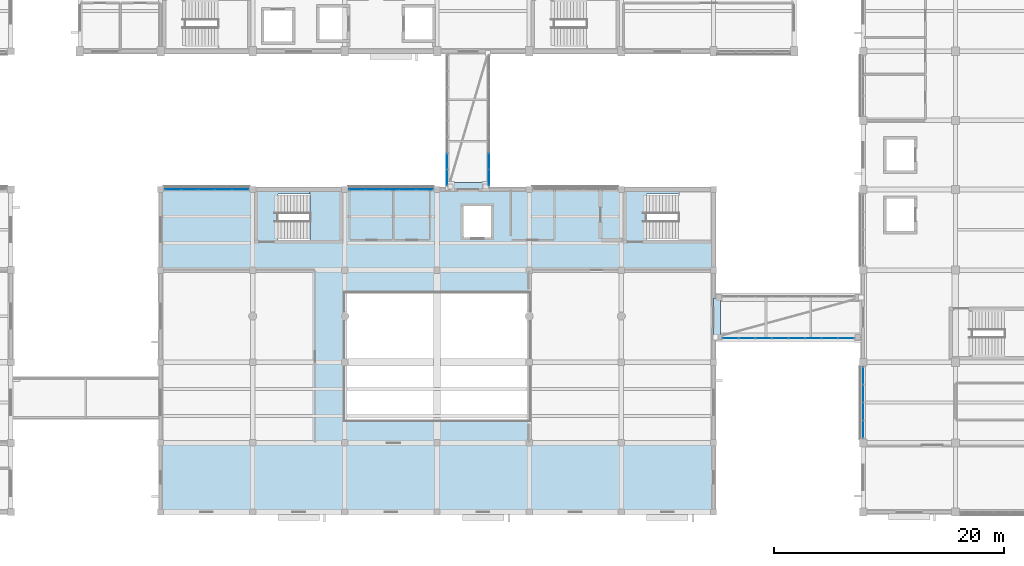
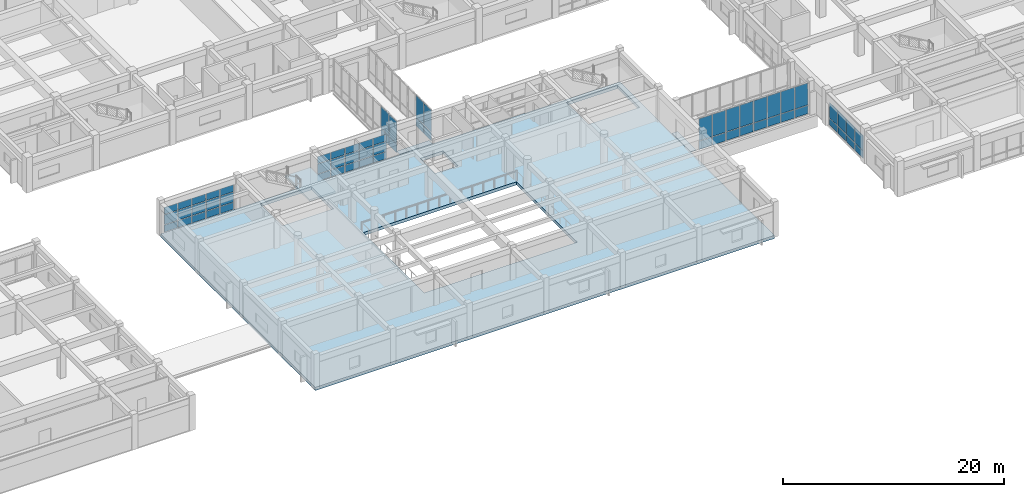
# One storey, part 38 of 66: 64 plates, 2 slabs, 7 elements without a shape of their own.
"""IFC4 building model written with IfcOpenShell, lengths in metres."""

from ifc_helpers import new_model, si_unit, direction, frame, origin, origin_2d, place, context, subcontext, project, spatial, polyline, rectangle, outline, extrude, material, layer, layer_set, type_object, element, aggregate, save


model = new_model("IFC4")

# Units and contexts
model_context = context("Model", 3, precision=1e-05, world=origin(), true_north=direction((0.0, 1.0)))
body_context = subcontext(model_context, "Body", "Model", "MODEL_VIEW")
ifc_project = project(units=[si_unit("LENGTHUNIT", "METRE"), si_unit("AREAUNIT", "SQUARE_METRE"), si_unit("VOLUMEUNIT", "CUBIC_METRE"), si_unit("PLANEANGLEUNIT", "RADIAN"), si_unit("MASSUNIT", "GRAM", prefix="KILO")], contexts=[model_context])

# Site, building, storey
site_placement = place(None, origin())
site = spatial("IfcSite", under=ifc_project, at=site_placement, CompositionType="ELEMENT")
building_placement = place(site_placement, origin())
building = spatial("IfcBuilding", under=site, at=building_placement, Name="Naurynzar Civic Courthouse", CompositionType="ELEMENT")
storey_placement = place(building_placement, frame((0.0, 0.0, 14.39990234375)))
storey = spatial("IfcBuildingStorey", under=building, at=storey_placement, Name="L04", CompositionType="ELEMENT", Elevation=14.39990234375)

# Curtain wall, plates
ifc_material_1 = material(Name="Aluminium 6063-T6", Category="aluminium")
ifc_layer_1 = layer(ifc_material_1, 0.179931640625)
ifc_layer_set_1 = layer_set([ifc_layer_1], Name="CW-UNIT-1500")
curtain_wall_type_1 = type_object("IfcCurtainWallType", Name="CW-UNIT-1500", PredefinedType="NOTDEFINED", material=ifc_layer_set_1)
curtain_wall_1_placement = place(storey_placement, origin())
curtain_wall_1 = element("IfcCurtainWall", 1, at=curtain_wall_1_placement, inside=storey, type_object=curtain_wall_type_1, Name="V3 unitised curtain wall 70 L04", PredefinedType="NOTDEFINED")
ifc_material_2 = material(Name="Tempered Laminated Low-E Glass", Category="glass")
ifc_layer_2 = layer(ifc_material_2, 0.031982421875)
ifc_layer_set_2 = layer_set([ifc_layer_2], Name="CWP-IGU-32")
plate_type_1 = type_object("IfcPlateType", Name="CWP-IGU-32", PredefinedType="CURTAIN_PANEL", material=ifc_layer_set_2)
plate_1_placement = place(storey_placement, frame((70.074951171875, 32.0, 0.06005859375), z_axis=(0.0, 0.0, 1.0), x_axis=(1.0, 0.0, 0.0)))
plate_1 = element("IfcPlate", 2, at=plate_1_placement, type_object=plate_type_1, Name="CW-01 panel 1.1", PredefinedType="CURTAIN_PANEL", context=body_context, shape_type="SweptSolid", body=[
    extrude(rectangle(XDim=1.3798828125, YDim=0.031982421875, at=origin_2d()), origin(), (0.0, 0.0, 1.0), 0.760009765625),
])
plate_2_placement = place(storey_placement, frame((70.074951171875, 32.0, 0.880126953125), z_axis=(0.0, 0.0, 1.0), x_axis=(1.0, 0.0, 0.0)))
plate_2 = element("IfcPlate", 3, at=plate_2_placement, type_object=plate_type_1, Name="CW-01 panel 1.2", PredefinedType="CURTAIN_PANEL", context=body_context, shape_type="SweptSolid", body=[
    extrude(rectangle(XDim=1.3798828125, YDim=0.031982421875, at=origin_2d()), origin(), (0.0, 0.0, 1.0), 1.080078125),
])
plate_3_placement = place(storey_placement, frame((70.074951171875, 32.0, 2.02001953125), z_axis=(0.0, 0.0, 1.0), x_axis=(1.0, 0.0, 0.0)))
plate_3 = element("IfcPlate", 4, at=plate_3_placement, type_object=plate_type_1, Name="CW-01 panel 1.3", PredefinedType="CURTAIN_PANEL", context=body_context, shape_type="SweptSolid", body=[
    extrude(rectangle(XDim=1.3798828125, YDim=0.031982421875, at=origin_2d()), origin(), (0.0, 0.0, 1.0), 0.760009765625),
])
plate_4_placement = place(storey_placement, frame((71.530029296875, 32.0, 0.06005859375), z_axis=(0.0, 0.0, 1.0), x_axis=(1.0, 0.0, 0.0)))
plate_4 = element("IfcPlate", 5, at=plate_4_placement, type_object=plate_type_1, Name="CW-01 panel 2.1", PredefinedType="CURTAIN_PANEL", context=body_context, shape_type="SweptSolid", body=[
    extrude(rectangle(XDim=1.409912109375, YDim=0.031982421875, at=origin_2d()), origin(), (0.0, 0.0, 1.0), 0.760009765625),
])
plate_5_placement = place(storey_placement, frame((71.530029296875, 32.0, 0.880126953125), z_axis=(0.0, 0.0, 1.0), x_axis=(1.0, 0.0, 0.0)))
plate_5 = element("IfcPlate", 6, at=plate_5_placement, type_object=plate_type_1, Name="CW-01 panel 2.2", PredefinedType="CURTAIN_PANEL", context=body_context, shape_type="SweptSolid", body=[
    extrude(rectangle(XDim=1.409912109375, YDim=0.031982421875, at=origin_2d()), origin(), (0.0, 0.0, 1.0), 1.080078125),
])
plate_6_placement = place(storey_placement, frame((71.530029296875, 32.0, 2.02001953125), z_axis=(0.0, 0.0, 1.0), x_axis=(1.0, 0.0, 0.0)))
plate_6 = element("IfcPlate", 7, at=plate_6_placement, type_object=plate_type_1, Name="CW-01 panel 2.3", PredefinedType="CURTAIN_PANEL", context=body_context, shape_type="SweptSolid", body=[
    extrude(rectangle(XDim=1.409912109375, YDim=0.031982421875, at=origin_2d()), origin(), (0.0, 0.0, 1.0), 0.760009765625),
])
plate_7_placement = place(storey_placement, frame((73.0, 32.0, 0.06005859375), z_axis=(0.0, 0.0, 1.0), x_axis=(1.0, 0.0, 0.0)))
plate_7 = element("IfcPlate", 8, at=plate_7_placement, type_object=plate_type_1, Name="CW-01 panel 3.1", PredefinedType="CURTAIN_PANEL", context=body_context, shape_type="SweptSolid", body=[
    extrude(rectangle(XDim=1.409912109375, YDim=0.031982421875, at=origin_2d()), origin(), (0.0, 0.0, 1.0), 0.760009765625),
])
plate_8_placement = place(storey_placement, frame((73.0, 32.0, 0.880126953125), z_axis=(0.0, 0.0, 1.0), x_axis=(1.0, 0.0, 0.0)))
plate_8 = element("IfcPlate", 9, at=plate_8_placement, type_object=plate_type_1, Name="CW-01 panel 3.2", PredefinedType="CURTAIN_PANEL", context=body_context, shape_type="SweptSolid", body=[
    extrude(rectangle(XDim=1.409912109375, YDim=0.031982421875, at=origin_2d()), origin(), (0.0, 0.0, 1.0), 1.080078125),
])
plate_9_placement = place(storey_placement, frame((73.0, 32.0, 2.02001953125), z_axis=(0.0, 0.0, 1.0), x_axis=(1.0, 0.0, 0.0)))
plate_9 = element("IfcPlate", 10, at=plate_9_placement, type_object=plate_type_1, Name="CW-01 panel 3.3", PredefinedType="CURTAIN_PANEL", context=body_context, shape_type="SweptSolid", body=[
    extrude(rectangle(XDim=1.409912109375, YDim=0.031982421875, at=origin_2d()), origin(), (0.0, 0.0, 1.0), 0.760009765625),
])
plate_10_placement = place(storey_placement, frame((74.469970703125, 32.0, 0.06005859375), z_axis=(0.0, 0.0, 1.0), x_axis=(1.0, 0.0, 0.0)))
plate_10 = element("IfcPlate", 11, at=plate_10_placement, type_object=plate_type_1, Name="CW-01 panel 4.1", PredefinedType="CURTAIN_PANEL", context=body_context, shape_type="SweptSolid", body=[
    extrude(rectangle(XDim=1.409912109375, YDim=0.031982421875, at=origin_2d()), origin(), (0.0, 0.0, 1.0), 0.760009765625),
])
plate_11_placement = place(storey_placement, frame((74.469970703125, 32.0, 0.880126953125), z_axis=(0.0, 0.0, 1.0), x_axis=(1.0, 0.0, 0.0)))
plate_11 = element("IfcPlate", 12, at=plate_11_placement, type_object=plate_type_1, Name="CW-01 panel 4.2", PredefinedType="CURTAIN_PANEL", context=body_context, shape_type="SweptSolid", body=[
    extrude(rectangle(XDim=1.409912109375, YDim=0.031982421875, at=origin_2d()), origin(), (0.0, 0.0, 1.0), 1.080078125),
])
plate_12_placement = place(storey_placement, frame((74.469970703125, 32.0, 2.02001953125), z_axis=(0.0, 0.0, 1.0), x_axis=(1.0, 0.0, 0.0)))
plate_12 = element("IfcPlate", 13, at=plate_12_placement, type_object=plate_type_1, Name="CW-01 panel 4.3", PredefinedType="CURTAIN_PANEL", context=body_context, shape_type="SweptSolid", body=[
    extrude(rectangle(XDim=1.409912109375, YDim=0.031982421875, at=origin_2d()), origin(), (0.0, 0.0, 1.0), 0.760009765625),
])
plate_13_placement = place(storey_placement, frame((75.925048828125, 32.0, 0.06005859375), z_axis=(0.0, 0.0, 1.0), x_axis=(1.0, 0.0, 0.0)))
plate_13 = element("IfcPlate", 14, at=plate_13_placement, type_object=plate_type_1, Name="CW-01 panel 5.1", PredefinedType="CURTAIN_PANEL", context=body_context, shape_type="SweptSolid", body=[
    extrude(rectangle(XDim=1.3798828125, YDim=0.031982421875, at=origin_2d()), origin(), (0.0, 0.0, 1.0), 0.760009765625),
])
plate_14_placement = place(storey_placement, frame((75.925048828125, 32.0, 0.880126953125), z_axis=(0.0, 0.0, 1.0), x_axis=(1.0, 0.0, 0.0)))
plate_14 = element("IfcPlate", 15, at=plate_14_placement, type_object=plate_type_1, Name="CW-01 panel 5.2", PredefinedType="CURTAIN_PANEL", context=body_context, shape_type="SweptSolid", body=[
    extrude(rectangle(XDim=1.3798828125, YDim=0.031982421875, at=origin_2d()), origin(), (0.0, 0.0, 1.0), 1.080078125),
])
plate_15_placement = place(storey_placement, frame((75.925048828125, 32.0, 2.02001953125), z_axis=(0.0, 0.0, 1.0), x_axis=(1.0, 0.0, 0.0)))
plate_15 = element("IfcPlate", 16, at=plate_15_placement, type_object=plate_type_1, Name="CW-01 panel 5.3", PredefinedType="CURTAIN_PANEL", context=body_context, shape_type="SweptSolid", body=[
    extrude(rectangle(XDim=1.3798828125, YDim=0.031982421875, at=origin_2d()), origin(), (0.0, 0.0, 1.0), 0.760009765625),
])
aggregate(curtain_wall_1, [plate_1, plate_2, plate_3, plate_4, plate_5, plate_6, plate_7, plate_8, plate_9, plate_10, plate_11, plate_12, plate_13, plate_14, plate_15])

curtain_wall_2_placement = place(storey_placement, origin())
curtain_wall_2 = element("IfcCurtainWall", 17, at=curtain_wall_2_placement, inside=storey, type_object=curtain_wall_type_1, Name="V3 unitised curtain wall 71 L04", PredefinedType="NOTDEFINED")
plate_16_placement = place(storey_placement, frame((86.074951171875, 32.0, 0.06005859375), z_axis=(0.0, 0.0, 1.0), x_axis=(1.0, 0.0, 0.0)))
plate_16 = element("IfcPlate", 18, at=plate_16_placement, type_object=plate_type_1, Name="CW-01 panel 1.1", PredefinedType="CURTAIN_PANEL", context=body_context, shape_type="SweptSolid", body=[
    extrude(rectangle(XDim=1.3798828125, YDim=0.031982421875, at=origin_2d()), origin(), (0.0, 0.0, 1.0), 0.760009765625),
])
plate_17_placement = place(storey_placement, frame((86.074951171875, 32.0, 0.880126953125), z_axis=(0.0, 0.0, 1.0), x_axis=(1.0, 0.0, 0.0)))
plate_17 = element("IfcPlate", 19, at=plate_17_placement, type_object=plate_type_1, Name="CW-01 panel 1.2", PredefinedType="CURTAIN_PANEL", context=body_context, shape_type="SweptSolid", body=[
    extrude(rectangle(XDim=1.3798828125, YDim=0.031982421875, at=origin_2d()), origin(), (0.0, 0.0, 1.0), 1.080078125),
])
plate_18_placement = place(storey_placement, frame((86.074951171875, 32.0, 2.02001953125), z_axis=(0.0, 0.0, 1.0), x_axis=(1.0, 0.0, 0.0)))
plate_18 = element("IfcPlate", 20, at=plate_18_placement, type_object=plate_type_1, Name="CW-01 panel 1.3", PredefinedType="CURTAIN_PANEL", context=body_context, shape_type="SweptSolid", body=[
    extrude(rectangle(XDim=1.3798828125, YDim=0.031982421875, at=origin_2d()), origin(), (0.0, 0.0, 1.0), 0.760009765625),
])
plate_19_placement = place(storey_placement, frame((87.530029296875, 32.0, 0.06005859375), z_axis=(0.0, 0.0, 1.0), x_axis=(1.0, 0.0, 0.0)))
plate_19 = element("IfcPlate", 21, at=plate_19_placement, type_object=plate_type_1, Name="CW-01 panel 2.1", PredefinedType="CURTAIN_PANEL", context=body_context, shape_type="SweptSolid", body=[
    extrude(rectangle(XDim=1.409912109375, YDim=0.031982421875, at=origin_2d()), origin(), (0.0, 0.0, 1.0), 0.760009765625),
])
plate_20_placement = place(storey_placement, frame((87.530029296875, 32.0, 0.880126953125), z_axis=(0.0, 0.0, 1.0), x_axis=(1.0, 0.0, 0.0)))
plate_20 = element("IfcPlate", 22, at=plate_20_placement, type_object=plate_type_1, Name="CW-01 panel 2.2", PredefinedType="CURTAIN_PANEL", context=body_context, shape_type="SweptSolid", body=[
    extrude(rectangle(XDim=1.409912109375, YDim=0.031982421875, at=origin_2d()), origin(), (0.0, 0.0, 1.0), 1.080078125),
])
plate_21_placement = place(storey_placement, frame((87.530029296875, 32.0, 2.02001953125), z_axis=(0.0, 0.0, 1.0), x_axis=(1.0, 0.0, 0.0)))
plate_21 = element("IfcPlate", 23, at=plate_21_placement, type_object=plate_type_1, Name="CW-01 panel 2.3", PredefinedType="CURTAIN_PANEL", context=body_context, shape_type="SweptSolid", body=[
    extrude(rectangle(XDim=1.409912109375, YDim=0.031982421875, at=origin_2d()), origin(), (0.0, 0.0, 1.0), 0.760009765625),
])
plate_22_placement = place(storey_placement, frame((89.0, 32.0, 0.06005859375), z_axis=(0.0, 0.0, 1.0), x_axis=(1.0, 0.0, 0.0)))
plate_22 = element("IfcPlate", 24, at=plate_22_placement, type_object=plate_type_1, Name="CW-01 panel 3.1", PredefinedType="CURTAIN_PANEL", context=body_context, shape_type="SweptSolid", body=[
    extrude(rectangle(XDim=1.409912109375, YDim=0.031982421875, at=origin_2d()), origin(), (0.0, 0.0, 1.0), 0.760009765625),
])
plate_23_placement = place(storey_placement, frame((89.0, 32.0, 0.880126953125), z_axis=(0.0, 0.0, 1.0), x_axis=(1.0, 0.0, 0.0)))
plate_23 = element("IfcPlate", 25, at=plate_23_placement, type_object=plate_type_1, Name="CW-01 panel 3.2", PredefinedType="CURTAIN_PANEL", context=body_context, shape_type="SweptSolid", body=[
    extrude(rectangle(XDim=1.409912109375, YDim=0.031982421875, at=origin_2d()), origin(), (0.0, 0.0, 1.0), 1.080078125),
])
plate_24_placement = place(storey_placement, frame((89.0, 32.0, 2.02001953125), z_axis=(0.0, 0.0, 1.0), x_axis=(1.0, 0.0, 0.0)))
plate_24 = element("IfcPlate", 26, at=plate_24_placement, type_object=plate_type_1, Name="CW-01 panel 3.3", PredefinedType="CURTAIN_PANEL", context=body_context, shape_type="SweptSolid", body=[
    extrude(rectangle(XDim=1.409912109375, YDim=0.031982421875, at=origin_2d()), origin(), (0.0, 0.0, 1.0), 0.760009765625),
])
plate_25_placement = place(storey_placement, frame((90.469970703125, 32.0, 0.06005859375), z_axis=(0.0, 0.0, 1.0), x_axis=(1.0, 0.0, 0.0)))
plate_25 = element("IfcPlate", 27, at=plate_25_placement, type_object=plate_type_1, Name="CW-01 panel 4.1", PredefinedType="CURTAIN_PANEL", context=body_context, shape_type="SweptSolid", body=[
    extrude(rectangle(XDim=1.409912109375, YDim=0.031982421875, at=origin_2d()), origin(), (0.0, 0.0, 1.0), 0.760009765625),
])
plate_26_placement = place(storey_placement, frame((90.469970703125, 32.0, 0.880126953125), z_axis=(0.0, 0.0, 1.0), x_axis=(1.0, 0.0, 0.0)))
plate_26 = element("IfcPlate", 28, at=plate_26_placement, type_object=plate_type_1, Name="CW-01 panel 4.2", PredefinedType="CURTAIN_PANEL", context=body_context, shape_type="SweptSolid", body=[
    extrude(rectangle(XDim=1.409912109375, YDim=0.031982421875, at=origin_2d()), origin(), (0.0, 0.0, 1.0), 1.080078125),
])
plate_27_placement = place(storey_placement, frame((90.469970703125, 32.0, 2.02001953125), z_axis=(0.0, 0.0, 1.0), x_axis=(1.0, 0.0, 0.0)))
plate_27 = element("IfcPlate", 29, at=plate_27_placement, type_object=plate_type_1, Name="CW-01 panel 4.3", PredefinedType="CURTAIN_PANEL", context=body_context, shape_type="SweptSolid", body=[
    extrude(rectangle(XDim=1.409912109375, YDim=0.031982421875, at=origin_2d()), origin(), (0.0, 0.0, 1.0), 0.760009765625),
])
plate_28_placement = place(storey_placement, frame((91.925048828125, 32.0, 0.06005859375), z_axis=(0.0, 0.0, 1.0), x_axis=(1.0, 0.0, 0.0)))
plate_28 = element("IfcPlate", 30, at=plate_28_placement, type_object=plate_type_1, Name="CW-01 panel 5.1", PredefinedType="CURTAIN_PANEL", context=body_context, shape_type="SweptSolid", body=[
    extrude(rectangle(XDim=1.3798828125, YDim=0.031982421875, at=origin_2d()), origin(), (0.0, 0.0, 1.0), 0.760009765625),
])
plate_29_placement = place(storey_placement, frame((91.925048828125, 32.0, 0.880126953125), z_axis=(0.0, 0.0, 1.0), x_axis=(1.0, 0.0, 0.0)))
plate_29 = element("IfcPlate", 31, at=plate_29_placement, type_object=plate_type_1, Name="CW-01 panel 5.2", PredefinedType="CURTAIN_PANEL", context=body_context, shape_type="SweptSolid", body=[
    extrude(rectangle(XDim=1.3798828125, YDim=0.031982421875, at=origin_2d()), origin(), (0.0, 0.0, 1.0), 1.080078125),
])
plate_30_placement = place(storey_placement, frame((91.925048828125, 32.0, 2.02001953125), z_axis=(0.0, 0.0, 1.0), x_axis=(1.0, 0.0, 0.0)))
plate_30 = element("IfcPlate", 32, at=plate_30_placement, type_object=plate_type_1, Name="CW-01 panel 5.3", PredefinedType="CURTAIN_PANEL", context=body_context, shape_type="SweptSolid", body=[
    extrude(rectangle(XDim=1.3798828125, YDim=0.031982421875, at=origin_2d()), origin(), (0.0, 0.0, 1.0), 0.760009765625),
])
aggregate(curtain_wall_2, [plate_16, plate_17, plate_18, plate_19, plate_20, plate_21, plate_22, plate_23, plate_24, plate_25, plate_26, plate_27, plate_28, plate_29, plate_30])

curtain_wall_3_placement = place(storey_placement, origin())
curtain_wall_3 = element("IfcCurtainWall", 33, at=curtain_wall_3_placement, inside=storey, type_object=curtain_wall_type_1, Name="V5 unitised curtain wall 97 L04", PredefinedType="NOTDEFINED")
plate_31_placement = place(storey_placement, frame((130.0, 11.1806640625, 0.06005859375), z_axis=(0.0, 0.0, 1.0), x_axis=(0.0, 1.0, 0.0)))
plate_31 = element("IfcPlate", 34, at=plate_31_placement, type_object=plate_type_1, Name="CW-01 panel 1.1", PredefinedType="CURTAIN_PANEL", context=body_context, shape_type="SweptSolid", body=[
    extrude(rectangle(XDim=1.46630859375, YDim=0.031982421875, at=origin_2d()), origin(), (0.0, 0.0, 1.0), 0.760009765625),
])
plate_32_placement = place(storey_placement, frame((130.0, 11.1806640625, 0.880126953125), z_axis=(0.0, 0.0, 1.0), x_axis=(0.0, 1.0, 0.0)))
plate_32 = element("IfcPlate", 35, at=plate_32_placement, type_object=plate_type_1, Name="CW-01 panel 1.2", PredefinedType="CURTAIN_PANEL", context=body_context, shape_type="SweptSolid", body=[
    extrude(rectangle(XDim=1.46630859375, YDim=0.031982421875, at=origin_2d()), origin(), (0.0, 0.0, 1.0), 1.669921875),
])
plate_33_placement = place(storey_placement, frame((130.0, 12.721923828125, 0.06005859375), z_axis=(0.0, 0.0, 1.0), x_axis=(0.0, 1.0, 0.0)))
plate_33 = element("IfcPlate", 36, at=plate_33_placement, type_object=plate_type_1, Name="CW-01 panel 2.1", PredefinedType="CURTAIN_PANEL", context=body_context, shape_type="SweptSolid", body=[
    extrude(rectangle(XDim=1.496337890625, YDim=0.031982421875, at=origin_2d()), origin(), (0.0, 0.0, 1.0), 0.760009765625),
])
plate_34_placement = place(storey_placement, frame((130.0, 12.721923828125, 0.880126953125), z_axis=(0.0, 0.0, 1.0), x_axis=(0.0, 1.0, 0.0)))
plate_34 = element("IfcPlate", 37, at=plate_34_placement, type_object=plate_type_1, Name="CW-01 panel 2.2", PredefinedType="CURTAIN_PANEL", context=body_context, shape_type="SweptSolid", body=[
    extrude(rectangle(XDim=1.496337890625, YDim=0.031982421875, at=origin_2d()), origin(), (0.0, 0.0, 1.0), 1.669921875),
])
plate_35_placement = place(storey_placement, frame((130.0, 14.278076171875, 0.06005859375), z_axis=(0.0, 0.0, 1.0), x_axis=(0.0, 1.0, 0.0)))
plate_35 = element("IfcPlate", 38, at=plate_35_placement, type_object=plate_type_1, Name="CW-01 panel 3.1", PredefinedType="CURTAIN_PANEL", context=body_context, shape_type="SweptSolid", body=[
    extrude(rectangle(XDim=1.496337890625, YDim=0.031982421875, at=origin_2d()), origin(), (0.0, 0.0, 1.0), 0.760009765625),
])
plate_36_placement = place(storey_placement, frame((130.0, 14.278076171875, 0.880126953125), z_axis=(0.0, 0.0, 1.0), x_axis=(0.0, 1.0, 0.0)))
plate_36 = element("IfcPlate", 39, at=plate_36_placement, type_object=plate_type_1, Name="CW-01 panel 3.2", PredefinedType="CURTAIN_PANEL", context=body_context, shape_type="SweptSolid", body=[
    extrude(rectangle(XDim=1.496337890625, YDim=0.031982421875, at=origin_2d()), origin(), (0.0, 0.0, 1.0), 1.669921875),
])
plate_37_placement = place(storey_placement, frame((130.0, 15.8193359375, 0.06005859375), z_axis=(0.0, 0.0, 1.0), x_axis=(0.0, 1.0, 0.0)))
plate_37 = element("IfcPlate", 40, at=plate_37_placement, type_object=plate_type_1, Name="CW-01 panel 4.1", PredefinedType="CURTAIN_PANEL", context=body_context, shape_type="SweptSolid", body=[
    extrude(rectangle(XDim=1.46630859375, YDim=0.031982421875, at=origin_2d()), origin(), (0.0, 0.0, 1.0), 0.760009765625),
])
plate_38_placement = place(storey_placement, frame((130.0, 15.8193359375, 0.880126953125), z_axis=(0.0, 0.0, 1.0), x_axis=(0.0, 1.0, 0.0)))
plate_38 = element("IfcPlate", 41, at=plate_38_placement, type_object=plate_type_1, Name="CW-01 panel 4.2", PredefinedType="CURTAIN_PANEL", context=body_context, shape_type="SweptSolid", body=[
    extrude(rectangle(XDim=1.46630859375, YDim=0.031982421875, at=origin_2d()), origin(), (0.0, 0.0, 1.0), 1.669921875),
])
aggregate(curtain_wall_3, [plate_31, plate_32, plate_33, plate_34, plate_35, plate_36, plate_37, plate_38])

ifc_material_3 = material(Name="Aluminium 6063-T6", Category="aluminium")
ifc_layer_3 = layer(ifc_material_3, 0.14990234375)
ifc_layer_set_3 = layer_set([ifc_layer_3], Name="CW-BRIDGE-1500")
curtain_wall_type_2 = type_object("IfcCurtainWallType", Name="CW-BRIDGE-1500", PredefinedType="USERDEFINED", material=ifc_layer_set_3)
curtain_wall_4_placement = place(storey_placement, origin())
curtain_wall_4 = element("IfcCurtainWall", 42, at=curtain_wall_4_placement, inside=storey, type_object=curtain_wall_type_2, Name="BR-C1 glazed bridge screen L04.1", ObjectType="GLAZED BRIDGE SCREEN", PredefinedType="USERDEFINED")
plate_39_placement = place(storey_placement, frame((93.8798828125, 34.4375, 0.06005859375), z_axis=(0.0, 0.0, 1.0), x_axis=(0.0, -1.0, 0.0)))
plate_39 = element("IfcPlate", 43, at=plate_39_placement, type_object=plate_type_1, Name="CW-03 panel 7.1", PredefinedType="CURTAIN_PANEL", context=body_context, shape_type="SweptSolid", body=[
    extrude(rectangle(XDim=1.364990234375, YDim=0.031982421875, at=origin_2d()), origin(), (0.0, 0.0, 1.0), 0.909912109375),
])
plate_40_placement = place(storey_placement, frame((93.8798828125, 34.4375, 1.0302734375), z_axis=(0.0, 0.0, 1.0), x_axis=(0.0, -1.0, 0.0)))
plate_40 = element("IfcPlate", 44, at=plate_40_placement, type_object=plate_type_1, Name="CW-03 panel 7.2", PredefinedType="CURTAIN_PANEL", context=body_context, shape_type="SweptSolid", body=[
    extrude(rectangle(XDim=1.364990234375, YDim=0.031982421875, at=origin_2d()), origin(), (0.0, 0.0, 1.0), 2.429931640625),
])
plate_41_placement = place(storey_placement, frame((93.8798828125, 33.027587890625, 0.06005859375), z_axis=(0.0, 0.0, 1.0), x_axis=(0.0, -1.0, 0.0)))
plate_41 = element("IfcPlate", 45, at=plate_41_placement, type_object=plate_type_1, Name="CW-03 panel 8.1", PredefinedType="CURTAIN_PANEL", context=body_context, shape_type="SweptSolid", body=[
    extrude(rectangle(XDim=1.3349609375, YDim=0.031982421875, at=origin_2d()), origin(), (0.0, 0.0, 1.0), 0.909912109375),
])
plate_42_placement = place(storey_placement, frame((93.8798828125, 33.027587890625, 1.0302734375), z_axis=(0.0, 0.0, 1.0), x_axis=(0.0, -1.0, 0.0)))
plate_42 = element("IfcPlate", 46, at=plate_42_placement, type_object=plate_type_1, Name="CW-03 panel 8.2", PredefinedType="CURTAIN_PANEL", context=body_context, shape_type="SweptSolid", body=[
    extrude(rectangle(XDim=1.3349609375, YDim=0.031982421875, at=origin_2d()), origin(), (0.0, 0.0, 1.0), 2.429931640625),
])
aggregate(curtain_wall_4, [plate_39, plate_40, plate_41, plate_42])

curtain_wall_5_placement = place(storey_placement, origin())
curtain_wall_5 = element("IfcCurtainWall", 47, at=curtain_wall_5_placement, inside=storey, type_object=curtain_wall_type_2, Name="BR-C1 glazed bridge screen L04.2", ObjectType="GLAZED BRIDGE SCREEN", PredefinedType="USERDEFINED")
plate_43_placement = place(storey_placement, frame((97.52001953125, 33.027587890625, 0.06005859375), z_axis=(0.0, 0.0, 1.0), x_axis=(0.0, 1.0, 0.0)))
plate_43 = element("IfcPlate", 48, at=plate_43_placement, type_object=plate_type_1, Name="CW-03 panel 1.1", PredefinedType="CURTAIN_PANEL", context=body_context, shape_type="SweptSolid", body=[
    extrude(rectangle(XDim=1.3349609375, YDim=0.031982421875, at=origin_2d()), origin(), (0.0, 0.0, 1.0), 0.909912109375),
])
plate_44_placement = place(storey_placement, frame((97.52001953125, 33.027587890625, 1.0302734375), z_axis=(0.0, 0.0, 1.0), x_axis=(0.0, 1.0, 0.0)))
plate_44 = element("IfcPlate", 49, at=plate_44_placement, type_object=plate_type_1, Name="CW-03 panel 1.2", PredefinedType="CURTAIN_PANEL", context=body_context, shape_type="SweptSolid", body=[
    extrude(rectangle(XDim=1.3349609375, YDim=0.031982421875, at=origin_2d()), origin(), (0.0, 0.0, 1.0), 2.429931640625),
])
plate_45_placement = place(storey_placement, frame((97.52001953125, 34.4375, 0.06005859375), z_axis=(0.0, 0.0, 1.0), x_axis=(0.0, 1.0, 0.0)))
plate_45 = element("IfcPlate", 50, at=plate_45_placement, type_object=plate_type_1, Name="CW-03 panel 2.1", PredefinedType="CURTAIN_PANEL", context=body_context, shape_type="SweptSolid", body=[
    extrude(rectangle(XDim=1.364990234375, YDim=0.031982421875, at=origin_2d()), origin(), (0.0, 0.0, 1.0), 0.909912109375),
])
plate_46_placement = place(storey_placement, frame((97.52001953125, 34.4375, 1.0302734375), z_axis=(0.0, 0.0, 1.0), x_axis=(0.0, 1.0, 0.0)))
plate_46 = element("IfcPlate", 51, at=plate_46_placement, type_object=plate_type_1, Name="CW-03 panel 2.2", PredefinedType="CURTAIN_PANEL", context=body_context, shape_type="SweptSolid", body=[
    extrude(rectangle(XDim=1.364990234375, YDim=0.031982421875, at=origin_2d()), origin(), (0.0, 0.0, 1.0), 2.429931640625),
])
aggregate(curtain_wall_5, [plate_43, plate_44, plate_45, plate_46])

curtain_wall_6_placement = place(storey_placement, origin())
curtain_wall_6 = element("IfcCurtainWall", 52, at=curtain_wall_6_placement, inside=storey, type_object=curtain_wall_type_2, Name="BR-E2 glazed bridge screen L04.1", ObjectType="GLAZED BRIDGE SCREEN", PredefinedType="USERDEFINED")
plate_47_placement = place(storey_placement, frame((118.492431640625, 19.080078125, 0.06005859375), z_axis=(0.0, 0.0, 1.0), x_axis=(1.0, 0.0, 0.0)))
plate_47 = element("IfcPlate", 53, at=plate_47_placement, type_object=plate_type_1, Name="CW-03 panel 1.1", PredefinedType="CURTAIN_PANEL", context=body_context, shape_type="SweptSolid", body=[
    extrude(rectangle(XDim=1.344970703125, YDim=0.031982421875, at=origin_2d()), origin(), (0.0, 0.0, 1.0), 0.909912109375),
])
plate_48_placement = place(storey_placement, frame((118.492431640625, 19.080078125, 1.0302734375), z_axis=(0.0, 0.0, 1.0), x_axis=(1.0, 0.0, 0.0)))
plate_48 = element("IfcPlate", 54, at=plate_48_placement, type_object=plate_type_1, Name="CW-03 panel 1.2", PredefinedType="CURTAIN_PANEL", context=body_context, shape_type="SweptSolid", body=[
    extrude(rectangle(XDim=1.344970703125, YDim=0.031982421875, at=origin_2d()), origin(), (0.0, 0.0, 1.0), 2.429931640625),
])
plate_49_placement = place(storey_placement, frame((119.91259765625, 19.080078125, 0.06005859375), z_axis=(0.0, 0.0, 1.0), x_axis=(1.0, 0.0, 0.0)))
plate_49 = element("IfcPlate", 55, at=plate_49_placement, type_object=plate_type_1, Name="CW-03 panel 2.1", PredefinedType="CURTAIN_PANEL", context=body_context, shape_type="SweptSolid", body=[
    extrude(rectangle(XDim=1.375, YDim=0.031982421875, at=origin_2d()), origin(), (0.0, 0.0, 1.0), 0.909912109375),
])
plate_50_placement = place(storey_placement, frame((119.91259765625, 19.080078125, 1.0302734375), z_axis=(0.0, 0.0, 1.0), x_axis=(1.0, 0.0, 0.0)))
plate_50 = element("IfcPlate", 56, at=plate_50_placement, type_object=plate_type_1, Name="CW-03 panel 2.2", PredefinedType="CURTAIN_PANEL", context=body_context, shape_type="SweptSolid", body=[
    extrude(rectangle(XDim=1.375, YDim=0.031982421875, at=origin_2d()), origin(), (0.0, 0.0, 1.0), 2.429931640625),
])
plate_51_placement = place(storey_placement, frame((121.347412109375, 19.080078125, 0.06005859375), z_axis=(0.0, 0.0, 1.0), x_axis=(1.0, 0.0, 0.0)))
plate_51 = element("IfcPlate", 57, at=plate_51_placement, type_object=plate_type_1, Name="CW-03 panel 3.1", PredefinedType="CURTAIN_PANEL", context=body_context, shape_type="SweptSolid", body=[
    extrude(rectangle(XDim=1.375, YDim=0.031982421875, at=origin_2d()), origin(), (0.0, 0.0, 1.0), 0.909912109375),
])
plate_52_placement = place(storey_placement, frame((121.347412109375, 19.080078125, 1.0302734375), z_axis=(0.0, 0.0, 1.0), x_axis=(1.0, 0.0, 0.0)))
plate_52 = element("IfcPlate", 58, at=plate_52_placement, type_object=plate_type_1, Name="CW-03 panel 3.2", PredefinedType="CURTAIN_PANEL", context=body_context, shape_type="SweptSolid", body=[
    extrude(rectangle(XDim=1.375, YDim=0.031982421875, at=origin_2d()), origin(), (0.0, 0.0, 1.0), 2.429931640625),
])
plate_53_placement = place(storey_placement, frame((122.782470703125, 19.080078125, 0.06005859375), z_axis=(0.0, 0.0, 1.0), x_axis=(1.0, 0.0, 0.0)))
plate_53 = element("IfcPlate", 59, at=plate_53_placement, type_object=plate_type_1, Name="CW-03 panel 4.1", PredefinedType="CURTAIN_PANEL", context=body_context, shape_type="SweptSolid", body=[
    extrude(rectangle(XDim=1.375, YDim=0.031982421875, at=origin_2d()), origin(), (0.0, 0.0, 1.0), 0.909912109375),
])
plate_54_placement = place(storey_placement, frame((122.782470703125, 19.080078125, 1.0302734375), z_axis=(0.0, 0.0, 1.0), x_axis=(1.0, 0.0, 0.0)))
plate_54 = element("IfcPlate", 60, at=plate_54_placement, type_object=plate_type_1, Name="CW-03 panel 4.2", PredefinedType="CURTAIN_PANEL", context=body_context, shape_type="SweptSolid", body=[
    extrude(rectangle(XDim=1.375, YDim=0.031982421875, at=origin_2d()), origin(), (0.0, 0.0, 1.0), 2.429931640625),
])
plate_55_placement = place(storey_placement, frame((124.217529296875, 19.080078125, 0.06005859375), z_axis=(0.0, 0.0, 1.0), x_axis=(1.0, 0.0, 0.0)))
plate_55 = element("IfcPlate", 61, at=plate_55_placement, type_object=plate_type_1, Name="CW-03 panel 5.1", PredefinedType="CURTAIN_PANEL", context=body_context, shape_type="SweptSolid", body=[
    extrude(rectangle(XDim=1.375, YDim=0.031982421875, at=origin_2d()), origin(), (0.0, 0.0, 1.0), 0.909912109375),
])
plate_56_placement = place(storey_placement, frame((124.217529296875, 19.080078125, 1.0302734375), z_axis=(0.0, 0.0, 1.0), x_axis=(1.0, 0.0, 0.0)))
plate_56 = element("IfcPlate", 62, at=plate_56_placement, type_object=plate_type_1, Name="CW-03 panel 5.2", PredefinedType="CURTAIN_PANEL", context=body_context, shape_type="SweptSolid", body=[
    extrude(rectangle(XDim=1.375, YDim=0.031982421875, at=origin_2d()), origin(), (0.0, 0.0, 1.0), 2.429931640625),
])
plate_57_placement = place(storey_placement, frame((125.652587890625, 19.080078125, 0.06005859375), z_axis=(0.0, 0.0, 1.0), x_axis=(1.0, 0.0, 0.0)))
plate_57 = element("IfcPlate", 63, at=plate_57_placement, type_object=plate_type_1, Name="CW-03 panel 6.1", PredefinedType="CURTAIN_PANEL", context=body_context, shape_type="SweptSolid", body=[
    extrude(rectangle(XDim=1.375, YDim=0.031982421875, at=origin_2d()), origin(), (0.0, 0.0, 1.0), 0.909912109375),
])
plate_58_placement = place(storey_placement, frame((125.652587890625, 19.080078125, 1.0302734375), z_axis=(0.0, 0.0, 1.0), x_axis=(1.0, 0.0, 0.0)))
plate_58 = element("IfcPlate", 64, at=plate_58_placement, type_object=plate_type_1, Name="CW-03 panel 6.2", PredefinedType="CURTAIN_PANEL", context=body_context, shape_type="SweptSolid", body=[
    extrude(rectangle(XDim=1.375, YDim=0.031982421875, at=origin_2d()), origin(), (0.0, 0.0, 1.0), 2.429931640625),
])
plate_59_placement = place(storey_placement, frame((127.08740234375, 19.080078125, 0.06005859375), z_axis=(0.0, 0.0, 1.0), x_axis=(1.0, 0.0, 0.0)))
plate_59 = element("IfcPlate", 65, at=plate_59_placement, type_object=plate_type_1, Name="CW-03 panel 7.1", PredefinedType="CURTAIN_PANEL", context=body_context, shape_type="SweptSolid", body=[
    extrude(rectangle(XDim=1.375, YDim=0.031982421875, at=origin_2d()), origin(), (0.0, 0.0, 1.0), 0.909912109375),
])
plate_60_placement = place(storey_placement, frame((127.08740234375, 19.080078125, 1.0302734375), z_axis=(0.0, 0.0, 1.0), x_axis=(1.0, 0.0, 0.0)))
plate_60 = element("IfcPlate", 66, at=plate_60_placement, type_object=plate_type_1, Name="CW-03 panel 7.2", PredefinedType="CURTAIN_PANEL", context=body_context, shape_type="SweptSolid", body=[
    extrude(rectangle(XDim=1.375, YDim=0.031982421875, at=origin_2d()), origin(), (0.0, 0.0, 1.0), 2.429931640625),
])
plate_61_placement = place(storey_placement, frame((128.507568359375, 19.080078125, 0.06005859375), z_axis=(0.0, 0.0, 1.0), x_axis=(1.0, 0.0, 0.0)))
plate_61 = element("IfcPlate", 67, at=plate_61_placement, type_object=plate_type_1, Name="CW-03 panel 8.1", PredefinedType="CURTAIN_PANEL", context=body_context, shape_type="SweptSolid", body=[
    extrude(rectangle(XDim=1.344970703125, YDim=0.031982421875, at=origin_2d()), origin(), (0.0, 0.0, 1.0), 0.909912109375),
])
plate_62_placement = place(storey_placement, frame((128.507568359375, 19.080078125, 1.0302734375), z_axis=(0.0, 0.0, 1.0), x_axis=(1.0, 0.0, 0.0)))
plate_62 = element("IfcPlate", 68, at=plate_62_placement, type_object=plate_type_1, Name="CW-03 panel 8.2", PredefinedType="CURTAIN_PANEL", context=body_context, shape_type="SweptSolid", body=[
    extrude(rectangle(XDim=1.344970703125, YDim=0.031982421875, at=origin_2d()), origin(), (0.0, 0.0, 1.0), 2.429931640625),
])
aggregate(curtain_wall_6, [plate_47, plate_48, plate_49, plate_50, plate_51, plate_52, plate_53, plate_54, plate_55, plate_56, plate_57, plate_58, plate_59, plate_60, plate_61, plate_62])

# Plates
ifc_material_4 = material(Name="Brushed Stainless Steel 304", Category="steel")
ifc_layer_4 = layer(ifc_material_4, 0.011962890625)
ifc_layer_set_4 = layer_set([ifc_layer_4], Name="PLT-SEISMIC-COVER-12")
plate_type_2 = type_object("IfcPlateType", Name="PLT-SEISMIC-COVER-12", PredefinedType="SHEET", material=ifc_layer_set_4)
plate_63_placement = place(storey_placement, frame((95.699951171875, 32.300048828125, 0.0), z_axis=(0.0, 0.0, 1.0), x_axis=(1.0, 0.0, 0.0)))
element("IfcPlate", 69, at=plate_63_placement, inside=storey, type_object=plate_type_2, Name="BR-C1 seismic floor joint cover plate L04", PredefinedType="SHEET", context=body_context, shape_type="SweptSolid", body=[
    extrude(rectangle(XDim=3.39990234375, YDim=0.60009765625, at=origin_2d()), origin(), (0.0, 0.0, 1.0), 0.011962890625),
])
plate_64_placement = place(storey_placement, frame((117.300048828125, 20.89990234375, 0.0), z_axis=(0.0, 0.0, 1.0), x_axis=(1.0, 0.0, 0.0)))
element("IfcPlate", 70, at=plate_64_placement, inside=storey, type_object=plate_type_2, Name="BR-E2 seismic floor joint cover plate L04", PredefinedType="SHEET", context=body_context, shape_type="SweptSolid", body=[
    extrude(rectangle(XDim=0.60009765625, YDim=3.39990234375, at=origin_2d()), origin(), (0.0, 0.0, 1.0), 0.011962890625),
])

# Stair, slab
ifc_material_5 = material(Name="Concrete C35/45", Category="concrete")
stair_type = type_object("IfcStairType", Name="STAIR-CORE-1600", PredefinedType="TWO_STRAIGHT_RUN_STAIR", material=ifc_material_5)
stair_placement = place(storey_placement, origin())
stair = element("IfcStair", 71, at=stair_placement, inside=storey, type_object=stair_type, Name="Enclosed escape stair ST-V3A L04", PredefinedType="TWO_STRAIGHT_RUN_STAIR")
ifc_material_6 = material(Name="Concrete C35/45", Category="concrete")
ifc_layer_5 = layer(ifc_material_6, 0.199951171875)
ifc_layer_set_5 = layer_set([ifc_layer_5], Name="SLB-LAND-200")
slab_type_1 = type_object("IfcSlabType", Name="SLB-LAND-200", PredefinedType="LANDING", material=ifc_layer_set_5)
slab_1_placement = place(storey_placement, frame((0.0, 0.0, 1.75)))
slab_1 = element("IfcSlab", 72, at=slab_1_placement, type_object=slab_type_1, Name="ST-V3A-L04 landing 1", PredefinedType="LANDING", context=body_context, shape_type="SweptSolid", body=[
    extrude(outline(polyline([(81.97998046875, 27.47998046875), (84.669921875, 27.47998046875), (84.669921875, 31.919921875), (81.97998046875, 31.919921875), (81.97998046875, 27.47998046875)])), origin(), (0.0, 0.0, 1.0), 0.2001953125),
])
aggregate(stair, [slab_1])

# Slab
ifc_material_7 = material(Name="Concrete C35/45", Category="concrete")
ifc_layer_6 = layer(ifc_material_7, 0.340087890625)
ifc_layer_set_6 = layer_set([ifc_layer_6], Name="SLB-STACK-340")
slab_type_2 = type_object("IfcSlabType", Name="SLB-STACK-340", PredefinedType="FLOOR", material=ifc_layer_set_6)
slab_2_placement = place(storey_placement, frame((0.0, 0.0, -0.33984375)))
element("IfcSlab", 73, at=slab_2_placement, inside=storey, type_object=slab_type_2, Name="V3 floor slab L04", PredefinedType="FLOOR", context=body_context, shape_type="SweptSolid", body=[
    extrude(outline(polyline([(69.0, 4.0), (69.0, 32.0), (117.0, 32.0), (117.0, 4.0), (69.0, 4.0)]), holes=[polyline([(101.0, 23.0), (85.0, 23.0), (85.0, 12.0), (101.0, 12.0), (101.0, 23.0)]), polyline([(79.179931640625, 27.60009765625), (84.550048828125, 27.60009765625), (84.550048828125, 31.60009765625), (79.179931640625, 31.60009765625), (79.179931640625, 27.60009765625)]), polyline([(111.179931640625, 27.60009765625), (116.550048828125, 27.60009765625), (116.550048828125, 31.60009765625), (111.179931640625, 31.60009765625), (111.179931640625, 27.60009765625)]), polyline([(95.300048828125, 27.85009765625), (97.699951171875, 27.85009765625), (97.699951171875, 30.550048828125), (95.300048828125, 30.550048828125), (95.300048828125, 27.85009765625)])]), origin(), (0.0, 0.0, 1.0), 0.33984375),
])

save(model, "model.ifc")
